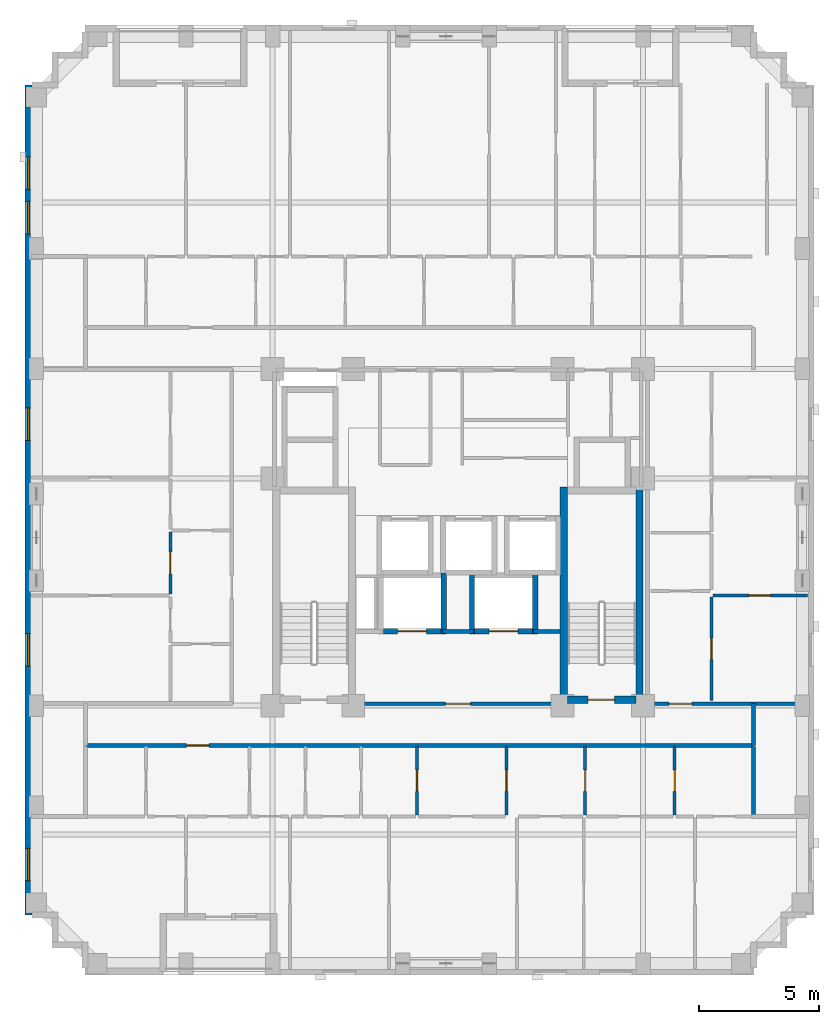
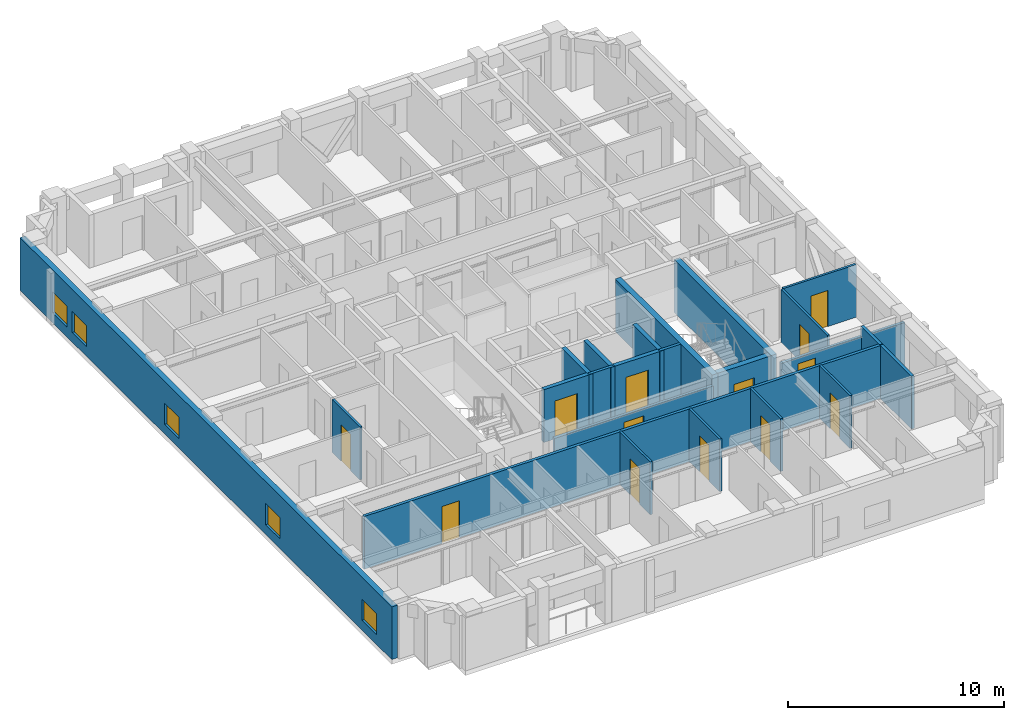
# One storey, part 4 of 11: 23 walls, 13 doors, 5 windows, 18 openings.
"""IFC4 building model written with IfcOpenShell, lengths in metres."""

from ifc_helpers import new_model, si_unit, derived_unit, direction, frame, frame_2d, origin, place, context, subcontext, project, spatial, rectangle, extrude, material, layer, layer_set, type_object, element, fill, save


model = new_model("IFC4")

# Units and contexts
model_context = context("Model", 3, precision=1e-05, world=origin(), true_north=direction((0.0, 1.0)))
body_context = subcontext(model_context, "Body", "Model", "MODEL_VIEW")
ifc_project = project(units=[si_unit("LENGTHUNIT", "METRE"), si_unit("AREAUNIT", "SQUARE_METRE"), si_unit("VOLUMEUNIT", "CUBIC_METRE"), si_unit("PLANEANGLEUNIT", "RADIAN"), si_unit("MASSUNIT", "GRAM", prefix="KILO"), derived_unit("THERMALTRANSMITTANCEUNIT", [(si_unit("MASSUNIT", "GRAM", prefix="KILO"), 1), (si_unit("TIMEUNIT", "SECOND"), -3), (si_unit("THERMODYNAMICTEMPERATUREUNIT", "KELVIN"), -1)])], contexts=[model_context])

# Site, building, storey
site_placement = place(None, origin())
site = spatial("IfcSite", under=ifc_project, at=site_placement, CompositionType="ELEMENT")
building_placement = place(site_placement, origin())
building = spatial("IfcBuilding", under=site, at=building_placement, Name="Korrvale Station Residences", CompositionType="ELEMENT")
storey_placement = place(building_placement, frame((0.0, 0.0, 150.39990234375)))
storey = spatial("IfcBuildingStorey", under=building, at=storey_placement, Name="L43", CompositionType="ELEMENT", Elevation=150.39990234375)

# Walls
ifc_material_1 = material(Name="Concrete C60/75", Category="concrete")
ifc_layer_1 = layer(ifc_material_1, 0.300048828125, Name="Concrete C60/75")
ifc_layer_set_1 = layer_set([ifc_layer_1], Name="Concrete C60/75")
wall_type_1 = type_object("IfcWallType", Name="WAL-CORE-300-C60", PredefinedType="SHEAR", material=ifc_layer_set_1)
for number, where, z_axis, x_axis, name in (
    (1, (29.89990234375, 15.10009765625, 0.0), (0.0, 0.0, 1.0), (0.0, 1.0, 0.0), "L43 ST-2 Core Shear Wall West"),
    (2, (33.050048828125, 15.10009765625, 0.0), (0.0, 0.0, 1.0), (0.0, 1.0, 0.0), "L43 ST-2 Core Shear Wall East"),
):
    element("IfcWall", number, at=place(storey_placement, frame(where, z_axis=z_axis, x_axis=x_axis)), inside=storey, type_object=wall_type_1, Name=name, PredefinedType="SHEAR", context=body_context, shape_type="SweptSolid", body=[
        extrude(rectangle(XDim=9.0, YDim=0.300048828125, at=frame_2d((4.5, 0.0))), origin(), (0.0, 0.0, 1.0), 2.989990234375),
    ])

# Wall, opening, door
wall_1_placement = place(storey_placement, frame((30.050048828125, 15.25, 0.0), z_axis=(0.0, 0.0, 1.0), x_axis=(1.0, 0.0, 0.0)))
wall_1 = element("IfcWall", 3, at=wall_1_placement, inside=storey, type_object=wall_type_1, Name="L43 ST-2 Core Shear Wall South", PredefinedType="SHEAR", context=body_context, shape_type="SweptSolid", body=[
    extrude(rectangle(XDim=2.849853515625, YDim=0.300048828125, at=frame_2d((1.4248046875, 0.0))), origin(), (0.0, 0.0, 1.0), 2.989990234375),
])
opening_1_placement = place(wall_1_placement, frame((0.860107421875, 0.0, 0.0)))
opening_1 = element("IfcOpeningElement", 4, at=opening_1_placement, cuts=wall_1, Name="Opening SD-1100", PredefinedType="OPENING", context=body_context, shape_type="SweptSolid", body=[
    extrude(rectangle(XDim=1.10009765625, YDim=2.050048828125, at=frame_2d((0.550048828125, 1.02490234375))), frame((0.0, 0.16015625, 0.0), z_axis=(0.0, -1.0, 0.0), x_axis=(1.0, 0.0, 0.0)), (0.0, 0.0, 1.0), 0.320068359375),
])
ifc_material_2 = material(Name="Hollow-metal fire-rated stair door with closer", Category="steel")
door_type_1 = type_object("IfcDoorType", Name="DR-STAIR-1100", OperationType="NOTDEFINED", PredefinedType="DOOR", material=ifc_material_2)
door_1_placement = place(opening_1_placement, origin())
door_1 = element("IfcDoor", 5, at=door_1_placement, inside=storey, type_object=door_type_1, Name="L43 ST-2 Exit Stair Door", OperationType="SINGLE_SWING_RIGHT", OverallHeight=2.050048828125, OverallWidth=1.10009765625, PredefinedType="DOOR", context=body_context, shape_type="SweptSolid", body=[
    extrude(rectangle(XDim=1.10009765625, YDim=2.050048828125, at=frame_2d((0.550048828125, 1.02490234375))), frame((0.0, 0.02490234375, 0.0), z_axis=(0.0, -1.0, 0.0), x_axis=(1.0, 0.0, 0.0)), (0.0, 0.0, 1.0), 0.050048828125),
])
fill(opening_1, door_1)

# Wall, openings, windows
ifc_material_3 = material(Name="Precast concrete C45/55", Category="concrete")
ifc_layer_2 = layer(ifc_material_3, 0.300048828125, Name="Precast concrete C45/55")
ifc_layer_set_2 = layer_set([ifc_layer_2], Name="Precast concrete C45/55")
wall_type_2 = type_object("IfcWallType", Name="WAL-EXT-PC300", PredefinedType="SOLIDWALL", material=ifc_layer_set_2)
wall_2_placement = place(storey_placement, frame((7.64990234375, 6.300048828125, 0.0), z_axis=(0.0, 0.0, 1.0), x_axis=(0.0, 1.0, 0.0)))
wall_2 = element("IfcWall", 6, at=wall_2_placement, inside=storey, type_object=wall_type_2, Name="L43 West Exterior Precast Wall 1", PredefinedType="SOLIDWALL", context=body_context, shape_type="SweptSolid", body=[
    extrude(rectangle(XDim=34.5, YDim=0.300048828125, at=frame_2d((17.25, 0.0))), origin(), (0.0, 0.0, 1.0), 2.989990234375),
])
opening_2_placement = place(wall_2_placement, frame((1.425048828125, 0.0, 0.550048828125)))
opening_2 = element("IfcOpeningElement", 7, at=opening_2_placement, cuts=wall_2, Name="Opening W-10", PredefinedType="OPENING", context=body_context, shape_type="SweptSolid", body=[
    extrude(rectangle(XDim=1.35009765625, YDim=1.199951171875, at=frame_2d((0.675048828125, 0.60009765625))), frame((0.0, 0.16015625, 0.0), z_axis=(0.0, -1.0, 0.0), x_axis=(1.0, 0.0, 0.0)), (0.0, 0.0, 1.0), 0.320068359375),
])
opening_3_placement = place(wall_2_placement, frame((30.14990234375, 0.0, 0.550048828125)))
opening_3 = element("IfcOpeningElement", 8, at=opening_3_placement, cuts=wall_2, Name="Opening W-10", PredefinedType="OPENING", context=body_context, shape_type="SweptSolid", body=[
    extrude(rectangle(XDim=1.35009765625, YDim=1.199951171875, at=frame_2d((0.675048828125, 0.60009765625))), frame((0.0, 0.16015625, 0.0), z_axis=(0.0, -1.0, 0.0), x_axis=(1.0, 0.0, 0.0)), (0.0, 0.0, 1.0), 0.320068359375),
])
opening_4_placement = place(wall_2_placement, frame((28.31005859375, 0.0, 0.550048828125)))
opening_4 = element("IfcOpeningElement", 9, at=opening_4_placement, cuts=wall_2, Name="Opening W-10", PredefinedType="OPENING", context=body_context, shape_type="SweptSolid", body=[
    extrude(rectangle(XDim=1.35009765625, YDim=1.199951171875, at=frame_2d((0.675048828125, 0.60009765625))), frame((0.0, 0.16015625, 0.0), z_axis=(0.0, -1.0, 0.0), x_axis=(1.0, 0.0, 0.0)), (0.0, 0.0, 1.0), 0.320068359375),
])
opening_5_placement = place(wall_2_placement, frame((10.35009765625, 0.0, 0.550048828125)))
opening_5 = element("IfcOpeningElement", 10, at=opening_5_placement, cuts=wall_2, Name="Opening W-10", PredefinedType="OPENING", context=body_context, shape_type="SweptSolid", body=[
    extrude(rectangle(XDim=1.35009765625, YDim=1.199951171875, at=frame_2d((0.675048828125, 0.60009765625))), frame((0.0, 0.16015625, 0.0), z_axis=(0.0, -1.0, 0.0), x_axis=(1.0, 0.0, 0.0)), (0.0, 0.0, 1.0), 0.320068359375),
])
opening_6_placement = place(wall_2_placement, frame((19.72509765625, 0.0, 0.550048828125)))
opening_6 = element("IfcOpeningElement", 11, at=opening_6_placement, cuts=wall_2, Name="Opening W-10", PredefinedType="OPENING", context=body_context, shape_type="SweptSolid", body=[
    extrude(rectangle(XDim=1.35009765625, YDim=1.199951171875, at=frame_2d((0.675048828125, 0.60009765625))), frame((0.0, 0.16015625, 0.0), z_axis=(0.0, -1.0, 0.0), x_axis=(1.0, 0.0, 0.0)), (0.0, 0.0, 1.0), 0.320068359375),
])
ifc_material_4 = material(Name="Thermally broken aluminium frame with triple low-e glazing", Category="aluminium")
window_type = type_object("IfcWindowType", Name="WIN-W10", PartitioningType="SINGLE_PANEL", PredefinedType="WINDOW", material=ifc_material_4)
window_1_placement = place(opening_2_placement, origin())
window_1 = element("IfcWindow", 12, at=window_1_placement, inside=storey, type_object=window_type, Name="L43 Punched Window 01", OverallHeight=1.199951171875, OverallWidth=1.35009765625, PartitioningType="SINGLE_PANEL", PredefinedType="WINDOW", context=body_context, shape_type="SweptSolid", body=[
    extrude(rectangle(XDim=1.35009765625, YDim=1.199951171875, at=frame_2d((0.675048828125, 0.60009765625))), frame((0.0, 0.030029296875, 0.0), z_axis=(0.0, -1.0, 0.0), x_axis=(1.0, 0.0, 0.0)), (0.0, 0.0, 1.0), 0.06005859375),
])
fill(opening_2, window_1)
window_2_placement = place(opening_3_placement, origin())
window_2 = element("IfcWindow", 13, at=window_2_placement, inside=storey, type_object=window_type, Name="L43 Punched Window 07", OverallHeight=1.199951171875, OverallWidth=1.35009765625, PartitioningType="SINGLE_PANEL", PredefinedType="WINDOW", context=body_context, shape_type="SweptSolid", body=[
    extrude(rectangle(XDim=1.35009765625, YDim=1.199951171875, at=frame_2d((0.675048828125, 0.60009765625))), frame((0.0, 0.030029296875, 0.0), z_axis=(0.0, -1.0, 0.0), x_axis=(1.0, 0.0, 0.0)), (0.0, 0.0, 1.0), 0.06005859375),
])
fill(opening_3, window_2)
window_3_placement = place(opening_4_placement, origin())
window_3 = element("IfcWindow", 14, at=window_3_placement, inside=storey, type_object=window_type, Name="L43 Punched Window 08", OverallHeight=1.199951171875, OverallWidth=1.35009765625, PartitioningType="SINGLE_PANEL", PredefinedType="WINDOW", context=body_context, shape_type="SweptSolid", body=[
    extrude(rectangle(XDim=1.35009765625, YDim=1.199951171875, at=frame_2d((0.675048828125, 0.60009765625))), frame((0.0, 0.030029296875, 0.0), z_axis=(0.0, -1.0, 0.0), x_axis=(1.0, 0.0, 0.0)), (0.0, 0.0, 1.0), 0.06005859375),
])
fill(opening_4, window_3)
window_4_placement = place(opening_5_placement, origin())
window_4 = element("IfcWindow", 15, at=window_4_placement, inside=storey, type_object=window_type, Name="L43 Punched Window 14", OverallHeight=1.199951171875, OverallWidth=1.35009765625, PartitioningType="SINGLE_PANEL", PredefinedType="WINDOW", context=body_context, shape_type="SweptSolid", body=[
    extrude(rectangle(XDim=1.35009765625, YDim=1.199951171875, at=frame_2d((0.675048828125, 0.60009765625))), frame((0.0, 0.030029296875, 0.0), z_axis=(0.0, -1.0, 0.0), x_axis=(1.0, 0.0, 0.0)), (0.0, 0.0, 1.0), 0.06005859375),
])
fill(opening_5, window_4)
window_5_placement = place(opening_6_placement, origin())
window_5 = element("IfcWindow", 16, at=window_5_placement, inside=storey, type_object=window_type, Name="L43 Punched Window 15", OverallHeight=1.199951171875, OverallWidth=1.35009765625, PartitioningType="SINGLE_PANEL", PredefinedType="WINDOW", context=body_context, shape_type="SweptSolid", body=[
    extrude(rectangle(XDim=1.35009765625, YDim=1.199951171875, at=frame_2d((0.675048828125, 0.60009765625))), frame((0.0, 0.030029296875, 0.0), z_axis=(0.0, -1.0, 0.0), x_axis=(1.0, 0.0, 0.0)), (0.0, 0.0, 1.0), 0.06005859375),
])
fill(opening_6, window_5)

# Wall, opening, door
ifc_material_5 = material(Name="Acoustic steel-stud gypsum board partition", Category="steel")
ifc_layer_3 = layer(ifc_material_5, 0.1201171875, Name="Acoustic steel-stud gypsum board partition")
ifc_layer_set_3 = layer_set([ifc_layer_3], Name="Acoustic steel-stud gypsum board partition")
wall_type_3 = type_object("IfcWallType", Name="WAL-PART-125", PredefinedType="PARTITIONING", material=ifc_layer_set_3)
wall_3_placement = place(storey_placement, frame((23.800048828125, 10.4599609375, 0.0), z_axis=(0.0, 0.0, 1.0), x_axis=(0.0, 1.0, 0.0)))
wall_3 = element("IfcWall", 17, at=wall_3_placement, inside=storey, type_object=wall_type_3, Name="L43 Suite Partition U01-V45", PredefinedType="PARTITIONING", context=body_context, shape_type="SweptSolid", body=[
    extrude(rectangle(XDim=2.85009765625, YDim=0.1201171875, at=frame_2d((1.425048828125, 0.0))), origin(), (0.0, 0.0, 1.0), 2.989990234375),
])
opening_7_placement = place(wall_3_placement, frame((0.97509765625, 0.0, 0.0)))
opening_7 = element("IfcOpeningElement", 18, at=opening_7_placement, cuts=wall_3, Name="Opening DI-900", PredefinedType="OPENING", context=body_context, shape_type="SweptSolid", body=[
    extrude(rectangle(XDim=0.89990234375, YDim=2.050048828125, at=frame_2d((0.449951171875, 1.02490234375))), frame((0.0, 0.070068359375, 0.0), z_axis=(0.0, -1.0, 0.0), x_axis=(1.0, 0.0, 0.0)), (0.0, 0.0, 1.0), 0.14013671875),
])
ifc_material_6 = material(Name="Painted solid-core timber interior room door", Category="wood")
door_type_2 = type_object("IfcDoorType", Name="DR-INT-900", OperationType="NOTDEFINED", PredefinedType="DOOR", material=ifc_material_6)
door_2_placement = place(opening_7_placement, origin())
door_2 = element("IfcDoor", 19, at=door_2_placement, inside=storey, type_object=door_type_2, Name="L43 Apartment 2BR L43-U01 Wardrobe Storage Room Door", OperationType="SINGLE_SWING_RIGHT", OverallHeight=2.050048828125, OverallWidth=0.89990234375, PredefinedType="DOOR", context=body_context, shape_type="SweptSolid", body=[
    extrude(rectangle(XDim=0.89990234375, YDim=2.050048828125, at=frame_2d((0.449951171875, 1.02490234375))), frame((0.0, 0.02490234375, 0.0), z_axis=(0.0, -1.0, 0.0), x_axis=(1.0, 0.0, 0.0)), (0.0, 0.0, 1.0), 0.050048828125),
])
fill(opening_7, door_2)

wall_4_placement = place(storey_placement, frame((27.52001953125, 10.4599609375, 0.0), z_axis=(0.0, 0.0, 1.0), x_axis=(0.0, 1.0, 0.0)))
wall_4 = element("IfcWall", 20, at=wall_4_placement, inside=storey, type_object=wall_type_3, Name="L43 Suite Partition U01-V56", PredefinedType="PARTITIONING", context=body_context, shape_type="SweptSolid", body=[
    extrude(rectangle(XDim=2.85009765625, YDim=0.1201171875, at=frame_2d((1.425048828125, 0.0))), origin(), (0.0, 0.0, 1.0), 2.989990234375),
])
opening_8_placement = place(wall_4_placement, frame((0.97509765625, 0.0, 0.0)))
opening_8 = element("IfcOpeningElement", 21, at=opening_8_placement, cuts=wall_4, Name="Opening DI-900", PredefinedType="OPENING", context=body_context, shape_type="SweptSolid", body=[
    extrude(rectangle(XDim=0.89990234375, YDim=2.050048828125, at=frame_2d((0.449951171875, 1.02490234375))), frame((0.0, 0.070068359375, 0.0), z_axis=(0.0, -1.0, 0.0), x_axis=(1.0, 0.0, 0.0)), (0.0, 0.0, 1.0), 0.14013671875),
])
door_3_placement = place(opening_8_placement, origin())
door_3 = element("IfcDoor", 22, at=door_3_placement, inside=storey, type_object=door_type_2, Name="L43 Apartment 2BR L43-U01 Utility and Laundry Room Door", OperationType="SINGLE_SWING_LEFT", OverallHeight=2.050048828125, OverallWidth=0.89990234375, PredefinedType="DOOR", context=body_context, shape_type="SweptSolid", body=[
    extrude(rectangle(XDim=0.89990234375, YDim=2.050048828125, at=frame_2d((0.449951171875, 1.02490234375))), frame((0.0, 0.02490234375, 0.0), z_axis=(0.0, -1.0, 0.0), x_axis=(1.0, 0.0, 0.0)), (0.0, 0.0, 1.0), 0.050048828125),
])
fill(opening_8, door_3)

wall_5_placement = place(storey_placement, frame((30.7900390625, 10.4599609375, 0.0), z_axis=(0.0, 0.0, 1.0), x_axis=(0.0, 1.0, 0.0)))
wall_5 = element("IfcWall", 23, at=wall_5_placement, inside=storey, type_object=wall_type_3, Name="L43 Suite Partition U01-V67", PredefinedType="PARTITIONING", context=body_context, shape_type="SweptSolid", body=[
    extrude(rectangle(XDim=2.85009765625, YDim=0.1201171875, at=frame_2d((1.425048828125, 0.0))), origin(), (0.0, 0.0, 1.0), 2.989990234375),
])
opening_9_placement = place(wall_5_placement, frame((0.97509765625, 0.0, 0.0)))
opening_9 = element("IfcOpeningElement", 24, at=opening_9_placement, cuts=wall_5, Name="Opening DI-900", PredefinedType="OPENING", context=body_context, shape_type="SweptSolid", body=[
    extrude(rectangle(XDim=0.89990234375, YDim=2.050048828125, at=frame_2d((0.449951171875, 1.02490234375))), frame((0.0, 0.070068359375, 0.0), z_axis=(0.0, -1.0, 0.0), x_axis=(1.0, 0.0, 0.0)), (0.0, 0.0, 1.0), 0.14013671875),
])
door_4_placement = place(opening_9_placement, origin())
door_4 = element("IfcDoor", 25, at=door_4_placement, inside=storey, type_object=door_type_2, Name="L43 Apartment 2BR L43-U01 Storage Closet 2 Door", OperationType="SINGLE_SWING_LEFT", OverallHeight=2.050048828125, OverallWidth=0.89990234375, PredefinedType="DOOR", context=body_context, shape_type="SweptSolid", body=[
    extrude(rectangle(XDim=0.89990234375, YDim=2.050048828125, at=frame_2d((0.449951171875, 1.02490234375))), frame((0.0, 0.02490234375, 0.0), z_axis=(0.0, -1.0, 0.0), x_axis=(1.0, 0.0, 0.0)), (0.0, 0.0, 1.0), 0.050048828125),
])
fill(opening_9, door_4)

wall_6_placement = place(storey_placement, frame((34.510009765625, 10.4599609375, 0.0), z_axis=(0.0, 0.0, 1.0), x_axis=(0.0, 1.0, 0.0)))
wall_6 = element("IfcWall", 26, at=wall_6_placement, inside=storey, type_object=wall_type_3, Name="L43 Suite Partition U01-V78", PredefinedType="PARTITIONING", context=body_context, shape_type="SweptSolid", body=[
    extrude(rectangle(XDim=2.85009765625, YDim=0.1201171875, at=frame_2d((1.425048828125, 0.0))), origin(), (0.0, 0.0, 1.0), 2.989990234375),
])
opening_10_placement = place(wall_6_placement, frame((0.97509765625, 0.0, 0.0)))
opening_10 = element("IfcOpeningElement", 27, at=opening_10_placement, cuts=wall_6, Name="Opening DI-900", PredefinedType="OPENING", context=body_context, shape_type="SweptSolid", body=[
    extrude(rectangle(XDim=0.89990234375, YDim=2.050048828125, at=frame_2d((0.449951171875, 1.02490234375))), frame((0.0, 0.070068359375, 0.0), z_axis=(0.0, -1.0, 0.0), x_axis=(1.0, 0.0, 0.0)), (0.0, 0.0, 1.0), 0.14013671875),
])
door_5_placement = place(opening_10_placement, origin())
door_5 = element("IfcDoor", 28, at=door_5_placement, inside=storey, type_object=door_type_2, Name="L43 Apartment 2BR L43-U01 Storage Closet 3 Door", OperationType="SINGLE_SWING_LEFT", OverallHeight=2.050048828125, OverallWidth=0.89990234375, PredefinedType="DOOR", context=body_context, shape_type="SweptSolid", body=[
    extrude(rectangle(XDim=0.89990234375, YDim=2.050048828125, at=frame_2d((0.449951171875, 1.02490234375))), frame((0.0, 0.02490234375, 0.0), z_axis=(0.0, -1.0, 0.0), x_axis=(1.0, 0.0, 0.0)), (0.0, 0.0, 1.0), 0.050048828125),
])
fill(opening_10, door_5)

wall_7_placement = place(storey_placement, frame((13.550048828125, 19.637939453125, 0.0), z_axis=(0.0, 0.0, 1.0), x_axis=(0.0, 1.0, 0.0)))
wall_7 = element("IfcWall", 29, at=wall_7_placement, inside=storey, type_object=wall_type_3, Name="L43 Suite Partition U03-V24", PredefinedType="PARTITIONING", context=body_context, shape_type="SweptSolid", body=[
    extrude(rectangle(XDim=2.592041015625, YDim=0.1201171875, at=frame_2d((1.2958984375, 0.0))), origin(), (0.0, 0.0, 1.0), 2.989990234375),
])
opening_11_placement = place(wall_7_placement, frame((0.845947265625, 0.0, 0.0)))
opening_11 = element("IfcOpeningElement", 30, at=opening_11_placement, cuts=wall_7, Name="Opening DI-900", PredefinedType="OPENING", context=body_context, shape_type="SweptSolid", body=[
    extrude(rectangle(XDim=0.89990234375, YDim=2.050048828125, at=frame_2d((0.449951171875, 1.02490234375))), frame((0.0, 0.070068359375, 0.0), z_axis=(0.0, -1.0, 0.0), x_axis=(1.0, 0.0, 0.0)), (0.0, 0.0, 1.0), 0.14013671875),
])
door_6_placement = place(opening_11_placement, origin())
door_6 = element("IfcDoor", 31, at=door_6_placement, inside=storey, type_object=door_type_2, Name="L43 Apartment 2BR L43-U03 Kitchen Door", OperationType="SINGLE_SWING_LEFT", OverallHeight=2.050048828125, OverallWidth=0.89990234375, PredefinedType="DOOR", context=body_context, shape_type="SweptSolid", body=[
    extrude(rectangle(XDim=0.89990234375, YDim=2.050048828125, at=frame_2d((0.449951171875, 1.02490234375))), frame((0.0, 0.02490234375, 0.0), z_axis=(0.0, -1.0, 0.0), x_axis=(1.0, 0.0, 0.0)), (0.0, 0.0, 1.0), 0.050048828125),
])
fill(opening_11, door_6)

wall_8_placement = place(storey_placement, frame((36.0400390625, 15.2099609375, 0.0), z_axis=(0.0, 0.0, 1.0), x_axis=(0.0, 1.0, 0.0)))
wall_8 = element("IfcWall", 32, at=wall_8_placement, inside=storey, type_object=wall_type_3, Name="L43 Suite Partition U04-V23", PredefinedType="PARTITIONING", context=body_context, shape_type="SweptSolid", body=[
    extrude(rectangle(XDim=4.30810546875, YDim=0.1201171875, at=frame_2d((2.154052734375, 0.0))), origin(), (0.0, 0.0, 1.0), 2.989990234375),
])
opening_12_placement = place(wall_8_placement, frame((1.7041015625, 0.0, 0.0)))
opening_12 = element("IfcOpeningElement", 33, at=opening_12_placement, cuts=wall_8, Name="Opening DI-900", PredefinedType="OPENING", context=body_context, shape_type="SweptSolid", body=[
    extrude(rectangle(XDim=0.89990234375, YDim=2.050048828125, at=frame_2d((0.449951171875, 1.02490234375))), frame((0.0, 0.070068359375, 0.0), z_axis=(0.0, -1.0, 0.0), x_axis=(1.0, 0.0, 0.0)), (0.0, 0.0, 1.0), 0.14013671875),
])
door_7_placement = place(opening_12_placement, origin())
door_7 = element("IfcDoor", 34, at=door_7_placement, inside=storey, type_object=door_type_2, Name="L43 Apartment 2BR L43-U04 Kitchen Door", OperationType="SINGLE_SWING_RIGHT", OverallHeight=2.050048828125, OverallWidth=0.89990234375, PredefinedType="DOOR", context=body_context, shape_type="SweptSolid", body=[
    extrude(rectangle(XDim=0.89990234375, YDim=2.050048828125, at=frame_2d((0.449951171875, 1.02490234375))), frame((0.0, 0.02490234375, 0.0), z_axis=(0.0, -1.0, 0.0), x_axis=(1.0, 0.0, 0.0)), (0.0, 0.0, 1.0), 0.050048828125),
])
fill(opening_12, door_7)

wall_9_placement = place(storey_placement, frame((36.10009765625, 19.577880859375, 0.0), z_axis=(0.0, 0.0, 1.0), x_axis=(1.0, 0.0, 0.0)))
wall_9 = element("IfcWall", 35, at=wall_9_placement, inside=storey, type_object=wall_type_3, Name="L43 Suite Partition U04-H34", PredefinedType="PARTITIONING", context=body_context, shape_type="SweptSolid", body=[
    extrude(rectangle(XDim=3.919921875, YDim=0.1201171875, at=frame_2d((1.9599609375, 0.0))), origin(), (0.0, 0.0, 1.0), 2.989990234375),
])
opening_13_placement = place(wall_9_placement, frame((1.4951171875, 0.0, 0.0)))
opening_13 = element("IfcOpeningElement", 36, at=opening_13_placement, cuts=wall_9, Name="Opening DI-900", PredefinedType="OPENING", context=body_context, shape_type="SweptSolid", body=[
    extrude(rectangle(XDim=0.89990234375, YDim=2.050048828125, at=frame_2d((0.449951171875, 1.02490234375))), frame((0.0, 0.070068359375, 0.0), z_axis=(0.0, -1.0, 0.0), x_axis=(1.0, 0.0, 0.0)), (0.0, 0.0, 1.0), 0.14013671875),
])
door_8_placement = place(opening_13_placement, origin())
door_8 = element("IfcDoor", 37, at=door_8_placement, inside=storey, type_object=door_type_2, Name="L43 Apartment 2BR L43-U04 Bedroom 1 Door", OperationType="SINGLE_SWING_LEFT", OverallHeight=2.050048828125, OverallWidth=0.89990234375, PredefinedType="DOOR", context=body_context, shape_type="SweptSolid", body=[
    extrude(rectangle(XDim=0.89990234375, YDim=2.050048828125, at=frame_2d((0.449951171875, 1.02490234375))), frame((0.0, 0.02490234375, 0.0), z_axis=(0.0, -1.0, 0.0), x_axis=(1.0, 0.0, 0.0)), (0.0, 0.0, 1.0), 0.050048828125),
])
fill(opening_13, door_8)

ifc_material_7 = material(Name="Fire-rated twin-stud gypsum and mineral wool shaftwall assembly", Category="gypsum")
ifc_layer_4 = layer(ifc_material_7, 0.159912109375, Name="Fire-rated twin-stud gypsum and mineral wool shaftwall assembly")
ifc_layer_set_4 = layer_set([ifc_layer_4], Name="Fire-rated twin-stud gypsum and mineral wool shaftwall assembly")
wall_type_4 = type_object("IfcWallType", Name="WAL-PART-200", PredefinedType="PARTITIONING", material=ifc_layer_set_4)
wall_10_placement = place(storey_placement, frame((21.25, 15.080078125, 0.0), z_axis=(0.0, 0.0, 1.0), x_axis=(1.0, 0.0, 0.0)))
wall_10 = element("IfcWall", 38, at=wall_10_placement, inside=storey, type_object=wall_type_4, Name="L43 Core Partition CW-FFL-S", PredefinedType="PARTITIONING", context=body_context, shape_type="SweptSolid", body=[
    extrude(rectangle(XDim=8.5, YDim=0.159912109375, at=frame_2d((4.25, 0.0))), origin(), (0.0, 0.0, 1.0), 2.442138671875),
])
opening_14_placement = place(wall_10_placement, frame((3.72509765625, 0.0, 0.0)))
opening_14 = element("IfcOpeningElement", 39, at=opening_14_placement, cuts=wall_10, Name="Opening FD-1050", PredefinedType="OPENING", context=body_context, shape_type="SweptSolid", body=[
    extrude(rectangle(XDim=1.050048828125, YDim=2.050048828125, at=frame_2d((0.52490234375, 1.02490234375))), frame((0.0, 0.08984375, 0.0), z_axis=(0.0, -1.0, 0.0), x_axis=(1.0, 0.0, 0.0)), (0.0, 0.0, 1.0), 0.179931640625),
])
ifc_material_8 = material(Name="Fire-rated mineral-core timber lobby door", Category="wood")
door_type_3 = type_object("IfcDoorType", Name="DR-CORE-1050", OperationType="NOTDEFINED", PredefinedType="DOOR", material=ifc_material_8)
door_9_placement = place(opening_14_placement, origin())
door_9 = element("IfcDoor", 40, at=door_9_placement, inside=storey, type_object=door_type_3, Name="L43 Firefighting Lobby Entry Door", OperationType="SINGLE_SWING_RIGHT", OverallHeight=2.050048828125, OverallWidth=1.050048828125, PredefinedType="DOOR", context=body_context, shape_type="SweptSolid", body=[
    extrude(rectangle(XDim=1.050048828125, YDim=2.050048828125, at=frame_2d((0.52490234375, 1.02490234375))), frame((0.0, 0.02490234375, 0.0), z_axis=(0.0, -1.0, 0.0), x_axis=(1.0, 0.0, 0.0)), (0.0, 0.0, 1.0), 0.050048828125),
])
fill(opening_14, door_9)

# Walls
wall_11_placement = place(storey_placement, frame((24.85009765625, 18.080078125, 0.0), z_axis=(0.0, 0.0, 1.0), x_axis=(1.0, 0.0, 0.0)))
element("IfcWall", 41, at=wall_11_placement, inside=storey, type_object=wall_type_4, Name="L43 Core Partition CW-FFL-N2", PredefinedType="PARTITIONING", context=body_context, shape_type="SweptSolid", body=[
    extrude(rectangle(XDim=1.2998046875, YDim=0.159912109375, at=frame_2d((0.64990234375, 0.0))), origin(), (0.0, 0.0, 1.0), 2.989990234375),
])
wall_12_placement = place(storey_placement, frame((28.64990234375, 18.080078125, 0.0), z_axis=(0.0, 0.0, 1.0), x_axis=(1.0, 0.0, 0.0)))
element("IfcWall", 42, at=wall_12_placement, inside=storey, type_object=wall_type_4, Name="L43 Core Partition CW-FFL-N3", PredefinedType="PARTITIONING", context=body_context, shape_type="SweptSolid", body=[
    extrude(rectangle(XDim=1.10009765625, YDim=0.159912109375, at=frame_2d((0.550048828125, 0.0))), origin(), (0.0, 0.0, 1.0), 2.989990234375),
])
wall_13_placement = place(storey_placement, frame((37.780029296875, 13.35009765625, 0.0), z_axis=(0.0, 0.0, 1.0), x_axis=(0.0, 1.0, 0.0)))
element("IfcWall", 43, at=wall_13_placement, inside=storey, type_object=wall_type_4, Name="L43 Corridor South East Cap", PredefinedType="PARTITIONING", context=body_context, shape_type="SweptSolid", body=[
    extrude(rectangle(XDim=1.739990234375, YDim=0.159912109375, at=frame_2d((0.8701171875, 0.0))), origin(), (0.0, 0.0, 1.0), 2.989990234375),
])
wall_14_placement = place(storey_placement, frame((37.780029296875, 10.39990234375, 0.0), z_axis=(0.0, 0.0, 1.0), x_axis=(0.0, 1.0, 0.0)))
element("IfcWall", 44, at=wall_14_placement, inside=storey, type_object=wall_type_4, Name="L43 Corner Step Cheek U01-R", PredefinedType="PARTITIONING", context=body_context, shape_type="SweptSolid", body=[
    extrude(rectangle(XDim=2.91015625, YDim=0.159912109375, at=frame_2d((1.455078125, 0.0))), origin(), (0.0, 0.0, 1.0), 2.989990234375),
])

# Wall, opening, door
wall_15_placement = place(storey_placement, frame((33.3798828125, 15.080078125, 0.0), z_axis=(0.0, 0.0, 1.0), x_axis=(1.0, 0.0, 0.0)))
wall_15 = element("IfcWall", 45, at=wall_15_placement, inside=storey, type_object=wall_type_4, Name="L43 Side Suite South Entry Wall U04", PredefinedType="PARTITIONING", context=body_context, shape_type="SweptSolid", body=[
    extrude(rectangle(XDim=6.64013671875, YDim=0.159912109375, at=frame_2d((3.320068359375, 0.0))), origin(), (0.0, 0.0, 1.0), 2.442138671875),
])
opening_15_placement = place(wall_15_placement, frame((0.89990234375, 0.0, 0.0)))
opening_15 = element("IfcOpeningElement", 46, at=opening_15_placement, cuts=wall_15, Name="Opening UD-950", PredefinedType="OPENING", context=body_context, shape_type="SweptSolid", body=[
    extrude(rectangle(XDim=0.949951171875, YDim=2.10009765625, at=frame_2d((0.47509765625, 1.050048828125))), frame((0.0, 0.08984375, 0.0), z_axis=(0.0, -1.0, 0.0), x_axis=(1.0, 0.0, 0.0)), (0.0, 0.0, 1.0), 0.179931640625),
])
ifc_material_9 = material(Name="Solid-core acoustic oak apartment entrance door", Category="timber")
door_type_4 = type_object("IfcDoorType", Name="DR-UNIT-950", OperationType="NOTDEFINED", PredefinedType="DOOR", material=ifc_material_9)
door_10_placement = place(opening_15_placement, origin())
door_10 = element("IfcDoor", 47, at=door_10_placement, inside=storey, type_object=door_type_4, Name="L43 Apartment L43-U04 Entrance Door", OperationType="SINGLE_SWING_RIGHT", OverallHeight=2.10009765625, OverallWidth=0.949951171875, PredefinedType="DOOR", context=body_context, shape_type="SweptSolid", body=[
    extrude(rectangle(XDim=0.949951171875, YDim=2.10009765625, at=frame_2d((0.47509765625, 1.050048828125))), frame((0.0, 0.02490234375, 0.0), z_axis=(0.0, -1.0, 0.0), x_axis=(1.0, 0.0, 0.0)), (0.0, 0.0, 1.0), 0.050048828125),
])
fill(opening_15, door_10)

wall_16_placement = place(storey_placement, frame((10.050048828125, 13.35009765625, 0.0), z_axis=(0.0, 0.0, 1.0), x_axis=(1.0, 0.0, 0.0)))
wall_16 = element("IfcWall", 48, at=wall_16_placement, inside=storey, type_object=wall_type_4, Name="L43 Rated Corridor Wall S", PredefinedType="PARTITIONING", context=body_context, shape_type="SweptSolid", body=[
    extrude(rectangle(XDim=27.699951171875, YDim=0.159912109375, at=frame_2d((13.85009765625, 0.0))), origin(), (0.0, 0.0, 1.0), 2.989990234375),
])
opening_16_placement = place(wall_16_placement, frame((4.1650390625, 0.0, 0.0)))
opening_16 = element("IfcOpeningElement", 49, at=opening_16_placement, cuts=wall_16, Name="Opening UD-950", PredefinedType="OPENING", context=body_context, shape_type="SweptSolid", body=[
    extrude(rectangle(XDim=0.949951171875, YDim=2.10009765625, at=frame_2d((0.47509765625, 1.050048828125))), frame((0.0, 0.08984375, 0.0), z_axis=(0.0, -1.0, 0.0), x_axis=(1.0, 0.0, 0.0)), (0.0, 0.0, 1.0), 0.179931640625),
])
door_11_placement = place(opening_16_placement, origin())
door_11 = element("IfcDoor", 50, at=door_11_placement, inside=storey, type_object=door_type_4, Name="L43 Apartment L43-U01 Entrance Door", OperationType="SINGLE_SWING_LEFT", OverallHeight=2.10009765625, OverallWidth=0.949951171875, PredefinedType="DOOR", context=body_context, shape_type="SweptSolid", body=[
    extrude(rectangle(XDim=0.949951171875, YDim=2.10009765625, at=frame_2d((0.47509765625, 1.050048828125))), frame((0.0, 0.02490234375, 0.0), z_axis=(0.0, -1.0, 0.0), x_axis=(1.0, 0.0, 0.0)), (0.0, 0.0, 1.0), 0.050048828125),
])
fill(opening_16, door_11)

ifc_layer_5 = layer(ifc_material_1, 0.219970703125, Name="Concrete C60/75")
ifc_layer_set_5 = layer_set([ifc_layer_5], Name="Concrete C60/75")
wall_type_5 = type_object("IfcWallType", Name="WAL-SHAFT-220-C60", PredefinedType="SHEAR", material=ifc_layer_set_5)
wall_17_placement = place(storey_placement, frame((22.39990234375, 18.090087890625, 0.0), z_axis=(0.0, 0.0, 1.0), x_axis=(1.0, 0.0, 0.0)))
wall_17 = element("IfcWall", 51, at=wall_17_placement, inside=storey, type_object=wall_type_5, Name="L43 Elevator FFL-1 Hoistway Wall South", PredefinedType="SHEAR", context=body_context, shape_type="SweptSolid", body=[
    extrude(rectangle(XDim=2.400146484375, YDim=0.219970703125, at=frame_2d((1.2001953125, 0.0))), origin(), (0.0, 0.0, 1.0), 2.989990234375),
])
opening_17_placement = place(wall_17_placement, frame((0.60009765625, 0.0, 0.0)))
opening_17 = element("IfcOpeningElement", 52, at=opening_17_placement, cuts=wall_17, Name="Opening LD-FF1200", PredefinedType="OPENING", context=body_context, shape_type="SweptSolid", body=[
    extrude(rectangle(XDim=1.199951171875, YDim=2.14990234375, at=frame_2d((0.60009765625, 1.074951171875))), frame((0.0, 0.1201171875, 0.0), z_axis=(0.0, -1.0, 0.0), x_axis=(1.0, 0.0, 0.0)), (0.0, 0.0, 1.0), 0.239990234375),
])
ifc_material_10 = material(Name="Stainless-steel firefighter elevator landing sliding door", Category="steel")
door_type_5 = type_object("IfcDoorType", Name="DR-LIFT-FF1200", OperationType="SLIDING_TO_LEFT", PredefinedType="DOOR", material=ifc_material_10)
door_12_placement = place(opening_17_placement, origin())
door_12 = element("IfcDoor", 53, at=door_12_placement, inside=storey, type_object=door_type_5, Name="L43 Elevator FFL-1 Sliding Landing Door", OperationType="SLIDING_TO_LEFT", OverallHeight=2.14990234375, OverallWidth=1.199951171875, PredefinedType="DOOR", context=body_context, shape_type="SweptSolid", body=[
    extrude(rectangle(XDim=1.199951171875, YDim=2.14990234375, at=frame_2d((0.60009765625, 1.074951171875))), frame((0.0, 0.02490234375, 0.0), z_axis=(0.0, -1.0, 0.0), x_axis=(1.0, 0.0, 0.0)), (0.0, 0.0, 1.0), 0.050048828125),
])
fill(opening_17, door_12)

# Wall
wall_18_placement = place(storey_placement, frame((24.909912109375, 17.97998046875, 0.0), z_axis=(0.0, 0.0, 1.0), x_axis=(0.0, 1.0, 0.0)))
element("IfcWall", 54, at=wall_18_placement, inside=storey, type_object=wall_type_5, Name="L43 Elevator FFL-1 Hoistway Wall East", PredefinedType="SHEAR", context=body_context, shape_type="SweptSolid", body=[
    extrude(rectangle(XDim=2.5400390625, YDim=0.219970703125, at=frame_2d((1.27001953125, 0.0))), origin(), (0.0, 0.0, 1.0), 2.989990234375),
])

# Wall, opening, door
wall_19_placement = place(storey_placement, frame((26.199951171875, 18.090087890625, 0.0), z_axis=(0.0, 0.0, 1.0), x_axis=(1.0, 0.0, 0.0)))
wall_19 = element("IfcWall", 55, at=wall_19_placement, inside=storey, type_object=wall_type_5, Name="L43 Elevator FFL-2 Hoistway Wall South", PredefinedType="SHEAR", context=body_context, shape_type="SweptSolid", body=[
    extrude(rectangle(XDim=2.400146484375, YDim=0.219970703125, at=frame_2d((1.2001953125, 0.0))), origin(), (0.0, 0.0, 1.0), 2.989990234375),
])
opening_18_placement = place(wall_19_placement, frame((0.60009765625, 0.0, 0.0)))
opening_18 = element("IfcOpeningElement", 56, at=opening_18_placement, cuts=wall_19, Name="Opening LD-FF1200", PredefinedType="OPENING", context=body_context, shape_type="SweptSolid", body=[
    extrude(rectangle(XDim=1.199951171875, YDim=2.14990234375, at=frame_2d((0.60009765625, 1.074951171875))), frame((0.0, 0.1201171875, 0.0), z_axis=(0.0, -1.0, 0.0), x_axis=(1.0, 0.0, 0.0)), (0.0, 0.0, 1.0), 0.239990234375),
])
door_13_placement = place(opening_18_placement, origin())
door_13 = element("IfcDoor", 57, at=door_13_placement, inside=storey, type_object=door_type_5, Name="L43 Elevator FFL-2 Sliding Landing Door", OperationType="SLIDING_TO_LEFT", OverallHeight=2.14990234375, OverallWidth=1.199951171875, PredefinedType="DOOR", context=body_context, shape_type="SweptSolid", body=[
    extrude(rectangle(XDim=1.199951171875, YDim=2.14990234375, at=frame_2d((0.60009765625, 1.074951171875))), frame((0.0, 0.02490234375, 0.0), z_axis=(0.0, -1.0, 0.0), x_axis=(1.0, 0.0, 0.0)), (0.0, 0.0, 1.0), 0.050048828125),
])
fill(opening_18, door_13)

# Walls
for number, where, z_axis, x_axis, name in (
    (58, (26.090087890625, 17.97998046875, 0.0), (0.0, 0.0, 1.0), (0.0, 1.0, 0.0), "L43 Elevator FFL-2 Hoistway Wall West"),
    (59, (28.7099609375, 17.97998046875, 0.0), (0.0, 0.0, 1.0), (0.0, 1.0, 0.0), "L43 Elevator FFL-2 Hoistway Wall East"),
):
    element("IfcWall", number, at=place(storey_placement, frame(where, z_axis=z_axis, x_axis=x_axis)), inside=storey, type_object=wall_type_5, Name=name, PredefinedType="SHEAR", context=body_context, shape_type="SweptSolid", body=[
        extrude(rectangle(XDim=2.5400390625, YDim=0.219970703125, at=frame_2d((1.27001953125, 0.0))), origin(), (0.0, 0.0, 1.0), 2.989990234375),
    ])

save(model, "model.ifc")
